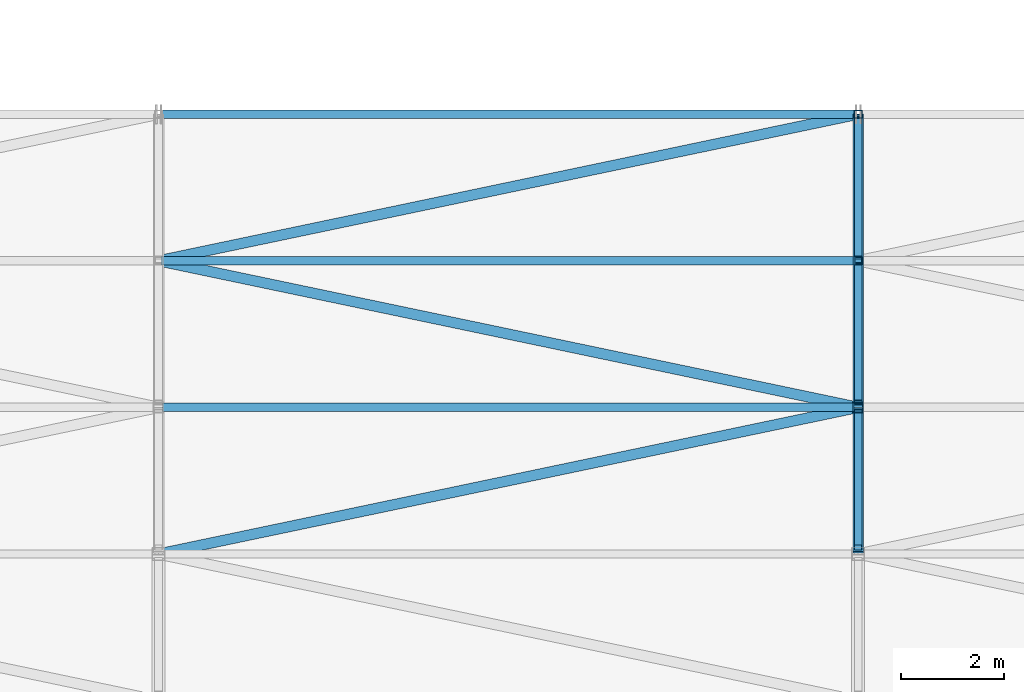
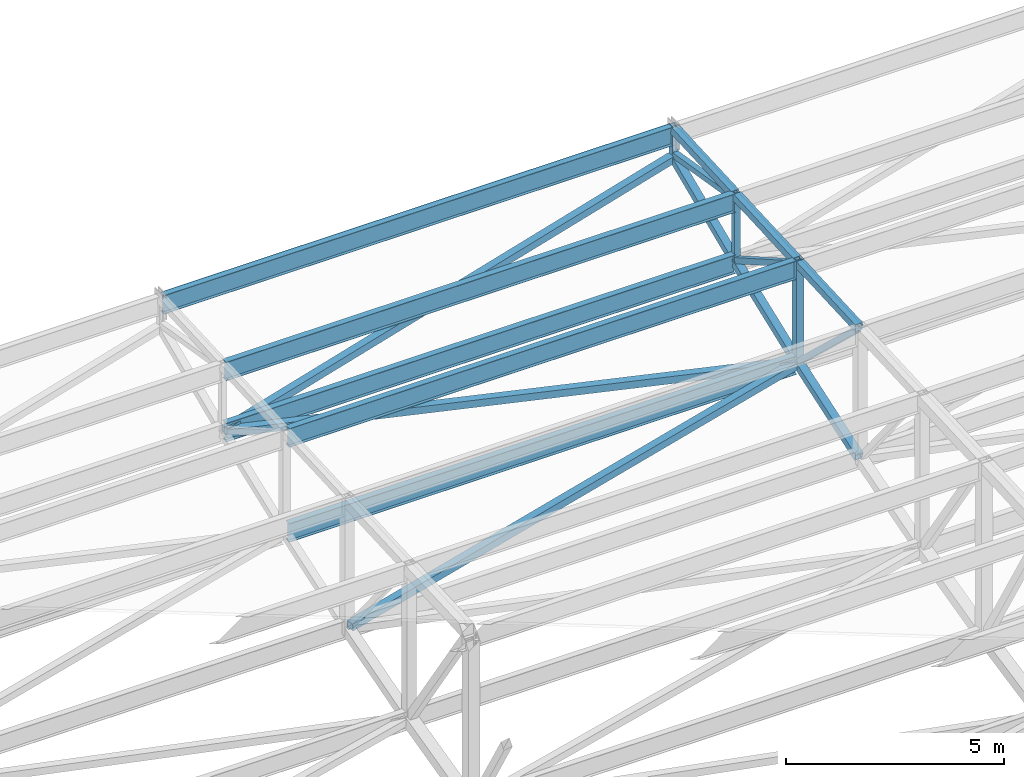
# One storey, part 28 of 278: 11 members, 9 beams.
"""IFC4 building model written with IfcOpenShell, lengths in metres."""

import ifcopenshell
import ifcopenshell.guid

model = None  # the IFC model being written
_history = None  # IfcOwnerHistory: only IFC2X3 demands one
_inside = {}  # id of a spatial element -> (the spatial element, [elements in it])
_under = {}  # id of a project, library or spatial element -> (it, [spatial elements below it])
_declared = {}  # id of a project -> (the project, [libraries it declares])
_typed = {}  # id of a type object -> (the type object, [elements of that type])
_made_of = {}  # id of a material, layer set ... -> (it, [elements and type objects made of it])


def new_model(schema):
    """Start an empty IFC model of exactly this schema.

    Asked for "IFC4X3", IfcOpenShell would pick the latest addendum, in which some entities
    have other attributes; the version numbers below select the first issue.
    IFC2X3 requires an IfcOwnerHistory on every rooted entity: one is made here for all.
    """
    global model, _history
    if schema == "IFC4X3":
        model = ifcopenshell.file(schema_version=(4, 3, 0, 0))
    else:
        model = ifcopenshell.file(schema=schema)
    _inside.clear()
    _under.clear()
    _declared.clear()
    _typed.clear()
    _made_of.clear()
    _history = None
    if model.schema == "IFC2X3":
        org = make("IfcOrganization", Name="unknown")
        user = make(
            "IfcPersonAndOrganization",
            ThePerson=make("IfcPerson", FamilyName="unknown"),
            TheOrganization=org,
        )
        app = make(
            "IfcApplication",
            ApplicationDeveloper=org,
            Version="unknown",
            ApplicationFullName="unknown",
            ApplicationIdentifier="unknown",
        )
        _history = make(
            "IfcOwnerHistory",
            OwningUser=user,
            OwningApplication=app,
            ChangeAction="ADDED",
            CreationDate=0,
        )
    return model


def make(cls, **values):
    """One entity of the class cls with the attributes given. An attribute that is None is left unset."""
    return model.create_entity(
        cls, **{name: value for name, value in values.items() if value is not None}
    )


def rooted(cls, **values):
    """An entity with a GlobalId (a new one), such as an element, a storey or a relation."""
    return make(cls, GlobalId=ifcopenshell.guid.new(), OwnerHistory=_history, **values)


def si_unit(unit_type, name, prefix=None):
    """IfcSIUnit, for example si_unit("LENGTHUNIT", "METRE", prefix="MILLI")."""
    return make("IfcSIUnit", UnitType=unit_type, Prefix=prefix, Name=name)


def assignment(units):
    """IfcUnitAssignment: the units of a project."""
    return None if units is None else make("IfcUnitAssignment", Units=units)


def point(xyz):
    """IfcCartesianPoint."""
    return None if xyz is None else make("IfcCartesianPoint", Coordinates=xyz)


def direction(xyz):
    """IfcDirection."""
    return None if xyz is None else make("IfcDirection", DirectionRatios=xyz)


def frame(location, z_axis=None, x_axis=None):
    """IfcAxis2Placement3D, a coordinate frame: its origin and axes. An axis left out is left unset."""
    return make(
        "IfcAxis2Placement3D",
        Location=point(location),
        Axis=direction(z_axis),
        RefDirection=direction(x_axis),
    )


def frame_2d(location, x_axis=None):
    """IfcAxis2Placement2D, a coordinate frame in the plane: its origin and x axis."""
    return make(
        "IfcAxis2Placement2D", Location=point(location), RefDirection=direction(x_axis)
    )


def origin():
    """The frame at (0, 0, 0) with its axes left unset."""
    return frame((0.0, 0.0, 0.0))


def origin_2d():
    """The frame at (0, 0) in the plane with its x axis left unset."""
    return frame_2d((0.0, 0.0))


def place(relative_to, where):
    """IfcLocalPlacement: puts the frame where relative to a parent placement (None: the world)."""
    return make(
        "IfcLocalPlacement", PlacementRelTo=relative_to, RelativePlacement=where
    )


def context(
    kind, dimensions, precision=None, world=None, true_north=None, identifier=None
):
    """IfcGeometricRepresentationContext, for example the 3D "Model" context."""
    return make(
        "IfcGeometricRepresentationContext",
        ContextIdentifier=identifier,
        ContextType=kind,
        CoordinateSpaceDimension=dimensions,
        Precision=precision,
        WorldCoordinateSystem=world,
        TrueNorth=true_north,
    )


def subcontext(parent, identifier, kind, view, scale=None):
    """IfcGeometricRepresentationSubContext, for example "Body" below "Model"."""
    return make(
        "IfcGeometricRepresentationSubContext",
        ContextIdentifier=identifier,
        ContextType=kind,
        ParentContext=parent,
        TargetScale=scale,
        TargetView=view,
    )


def project(units=None, contexts=None):
    """IfcProject with its units and contexts."""
    return rooted(
        "IfcProject",
        Name="project",
        RepresentationContexts=contexts,
        UnitsInContext=assignment(units),
    )


def spatial(cls, under=None, at=None, **own):
    """A site, building, storey or space (cls), placed at a placement, below another one or the project."""
    s = rooted(cls, ObjectPlacement=at, **own)
    if under is not None:
        _under.setdefault(under.id(), (under, []))[1].append(s)
    return s


def profile(cls, at=None, kind="AREA", **sizes):
    """A parametric profile (cls). Its sizes go by their IFC names, for example OverallWidth=200.0."""
    return make(cls, ProfileType=kind, Position=at, **sizes)


def hollow_rectangle(**sizes):
    """IfcRectangleHollowProfileDef."""
    return profile("IfcRectangleHollowProfileDef", **sizes)


def i_section(**sizes):
    """IfcIShapeProfileDef."""
    return profile("IfcIShapeProfileDef", **sizes)


def extrude(swept, where, along, depth):
    """IfcExtrudedAreaSolid: the profile swept, set in the frame where, extruded along a direction by depth."""
    return make(
        "IfcExtrudedAreaSolid",
        SweptArea=swept,
        Position=where,
        ExtrudedDirection=direction(along),
        Depth=depth,
    )


def shape(context_of_items, identifier, shape_type, items):
    """IfcShapeRepresentation: the items that make up one representation, for example the "Body"."""
    return make(
        "IfcShapeRepresentation",
        ContextOfItems=context_of_items,
        RepresentationIdentifier=identifier,
        RepresentationType=shape_type,
        Items=items,
    )


def material(Name=None, Category=None):
    """IfcMaterial."""
    return make("IfcMaterial", Name=Name, Category=Category)


def material_profile(
    of_material, cross_section, Name=None, Category=None, Priority=None
):
    """IfcMaterialProfile: a cross section and its material."""
    return make(
        "IfcMaterialProfile",
        Name=Name,
        Material=of_material,
        Profile=cross_section,
        Priority=Priority,
        Category=Category,
    )


def profile_set(profiles, Name=None, composite=None):
    """IfcMaterialProfileSet."""
    return make(
        "IfcMaterialProfileSet",
        Name=Name,
        MaterialProfiles=profiles,
        CompositeProfile=composite,
    )


def made_of(thing, what):
    """Note that an element or type object is made of a material, layer set ...; save() writes the relation."""
    if what is not None:
        _made_of.setdefault(what.id(), (what, []))[1].append(thing)
    return thing


def type_object(cls, material=None, **own):
    """A type object (cls), such as IfcWallType, which elements share."""
    return made_of(rooted(cls, **own), material)


def element(
    cls,
    number,
    at=None,
    inside=None,
    cuts=None,
    type_object=None,
    material=None,
    context=None,
    identifier="Body",
    shape_type=None,
    held_by="IfcProductDefinitionShape",
    body=None,
    shapes=None,
    **own,
):
    """One element of the class cls, such as IfcWall. Its Tag is "e" and its number.

    at: its placement. inside: the storey or other place that contains it. cuts: it is an
    opening in that element (IfcRelVoidsElement). A single representation is given by context,
    identifier, shape_type and body (its items); several are given by shapes. held_by: the class
    of the entity that holds the representations. save() writes the other relations.
    """
    e = rooted(cls, Tag="e%d" % number, ObjectPlacement=at, **own)
    if body is not None:
        shapes = [shape(context, identifier, shape_type, body)]
    if shapes is not None:
        e.Representation = make(held_by, Representations=shapes)
    if inside is not None:
        _inside.setdefault(inside.id(), (inside, []))[1].append(e)
    if cuts is not None:
        rooted(
            "IfcRelVoidsElement", RelatingBuildingElement=cuts, RelatedOpeningElement=e
        )
    if type_object is not None:
        _typed.setdefault(type_object.id(), (type_object, []))[1].append(e)
    return made_of(e, material)


def aggregate(whole, parts):
    """IfcRelAggregates: a whole, such as a stair, and the parts it consists of."""
    return rooted("IfcRelAggregates", RelatingObject=whole, RelatedObjects=parts)


def save(model, path):
    """Write the relations noted so far, then the file.

    IfcRelAggregates (storeys below a building ...), IfcRelContainedInSpatialStructure (elements
    in a storey), IfcRelDefinesByType, IfcRelAssociatesMaterial and IfcRelDeclares: one each for
    every whole, place, type object, material and project.
    """
    for whole, parts in _under.values():
        aggregate(whole, parts)
    for where, things in _inside.values():
        rooted(
            "IfcRelContainedInSpatialStructure",
            RelatedElements=things,
            RelatingStructure=where,
        )
    for kind, things in _typed.values():
        rooted("IfcRelDefinesByType", RelatedObjects=things, RelatingType=kind)
    for what, things in _made_of.values():
        rooted("IfcRelAssociatesMaterial", RelatedObjects=things, RelatingMaterial=what)
    for by, libraries in _declared.values():
        rooted("IfcRelDeclares", RelatingContext=by, RelatedDefinitions=libraries)
    model.write(path)


model = new_model("IFC4")

# Units and contexts
model_context = context("Model", 3, precision=1e-05, world=origin(), true_north=direction((0.0, 1.0)))
body_context = subcontext(model_context, "Body", "Model", "MODEL_VIEW")
ifc_project = project(units=[si_unit("LENGTHUNIT", "METRE"), si_unit("AREAUNIT", "SQUARE_METRE"), si_unit("VOLUMEUNIT", "CUBIC_METRE"), si_unit("PLANEANGLEUNIT", "RADIAN"), si_unit("MASSUNIT", "GRAM", prefix="KILO")], contexts=[model_context])

# Site, building, storey
site_placement = place(None, origin())
site = spatial("IfcSite", under=ifc_project, at=site_placement, CompositionType="ELEMENT")
building_placement = place(site_placement, origin())
building = spatial("IfcBuilding", under=site, at=building_placement, Name="Ogive Plaza Stadium", CompositionType="ELEMENT")
storey_placement = place(building_placement, frame((0.0, 0.0, 29.0)))
storey = spatial("IfcBuildingStorey", under=building, at=storey_placement, Name="Roof", CompositionType="ELEMENT", Elevation=29.0)

# Members
ifc_material_1 = material(Name="Steel ASTM A500 Grade C", Category="steel")
ifc_material_profile_1 = material_profile(ifc_material_1, hollow_rectangle(XDim=0.203125, YDim=0.203125, WallThickness=0.0087890625, at=origin_2d()), Name="HSS8X8X3/8")
ifc_profile_set_1 = profile_set([ifc_material_profile_1], Name="Steel ASTM A500 Grade C")
member_type_1 = type_object("IfcMemberType", Name="Roof plan brace HSS8X8X3/8", PredefinedType="BRACE", material=ifc_profile_set_1)
member_1_placement = place(storey_placement, frame((20.332275390625, -64.01416015625, 6.5205078125), z_axis=(-0.974983402681, -0.204327358854, -0.087508256301), x_axis=(0.205114219191, -0.978738043138, 0.0)))
element("IfcMember", 1, at=member_1_placement, inside=storey, type_object=member_type_1, Name="ROOF BRACE B13 1", PredefinedType="BRACE", context=body_context, shape_type="SweptSolid", body=[
    extrude(hollow_rectangle(XDim=0.203125, YDim=0.203125, WallThickness=0.0087890625, at=origin_2d()), origin(), (0.0, 0.0, 1.0), 13.81005859375),
])
member_2_placement = place(storey_placement, frame((6.86767578125, -66.8642578125, 5.30029296875), z_axis=(0.975733868402, -0.204463279961, -0.078346571082), x_axis=(0.205093700418, 0.978742343035, 0.0)))
element("IfcMember", 2, at=member_2_placement, inside=storey, type_object=member_type_1, Name="ROOF BRACE B13 2", PredefinedType="BRACE", context=body_context, shape_type="SweptSolid", body=[
    extrude(hollow_rectangle(XDim=0.203125, YDim=0.203125, WallThickness=0.0087890625, at=origin_2d()), origin(), (0.0, 0.0, 1.0), 13.7734375),
])
member_3_placement = place(storey_placement, frame((20.306884765625, -69.719482421875, 4.207275390625), z_axis=(-0.976515317582, -0.204641125651, -0.067378366106), x_axis=(0.205107232709, -0.97873950727, 0.0)))
element("IfcMember", 3, at=member_3_placement, inside=storey, type_object=member_type_1, Name="ROOF BRACE B13 3", PredefinedType="BRACE", context=body_context, shape_type="SweptSolid", body=[
    extrude(hollow_rectangle(XDim=0.203125, YDim=0.203125, WallThickness=0.0087890625, at=origin_2d()), origin(), (0.0, 0.0, 1.0), 13.736328125),
])
ifc_material_2 = material(Name="Steel ASTM A992 Grade 50", Category="steel")
ifc_material_profile_2 = material_profile(ifc_material_2, i_section(OverallWidth=0.1650390625, OverallDepth=0.524658203125, WebThickness=0.0087890625, FlangeThickness=0.011474609375, at=origin_2d()), Name="W21X44")
ifc_profile_set_2 = profile_set([ifc_material_profile_2], Name="Steel ASTM A992 Grade 50")
member_type_2 = type_object("IfcMemberType", Name="Roof plan strut W21X44", PredefinedType="STRUT", material=ifc_profile_set_2)
member_4_placement = place(storey_placement, frame((20.353759765625, -66.85009765625, 5.305908203125), z_axis=(-1.0, 0.0, 0.0), x_axis=(0.0, -1.0, 0.0)))
element("IfcMember", 4, at=member_4_placement, inside=storey, type_object=member_type_2, Name="ROOF STRUT B13 1", PredefinedType="STRUT", context=body_context, shape_type="SweptSolid", body=[
    extrude(i_section(OverallWidth=0.1650390625, OverallDepth=0.524658203125, WebThickness=0.0087890625, FlangeThickness=0.011474609375, at=origin_2d()), origin(), (0.0, 0.0, 1.0), 13.507568359375),
])
member_5_placement = place(storey_placement, frame((20.328369140625, -69.699951171875, 4.213623046875), z_axis=(-1.0, 0.0, 0.0), x_axis=(0.0, -1.0, 0.0)))
element("IfcMember", 5, at=member_5_placement, inside=storey, type_object=member_type_2, Name="ROOF STRUT B13 2", PredefinedType="STRUT", context=body_context, shape_type="SweptSolid", body=[
    extrude(i_section(OverallWidth=0.1650390625, OverallDepth=0.524658203125, WebThickness=0.0087890625, FlangeThickness=0.011474609375, at=origin_2d()), origin(), (0.0, 0.0, 1.0), 13.456787109375),
])
ifc_material_3 = material(Name="Steel ASTM A992 Grade 50", Category="steel")
ifc_material_profile_3 = material_profile(ifc_material_3, i_section(OverallWidth=0.1650390625, OverallDepth=0.524658203125, WebThickness=0.0087890625, FlangeThickness=0.011474609375, at=origin_2d()), Name="W21X44")
ifc_profile_set_3 = profile_set([ifc_material_profile_3], Name="Steel ASTM A992 Grade 50")
member_type_3 = type_object("IfcMemberType", Name="Roof purlin W21X44", PredefinedType="PURLIN", material=ifc_profile_set_3)
member_6_placement = place(storey_placement, frame((20.353759765625, -66.85009765625, 7.02001953125), z_axis=(-1.0, 0.0, 0.0), x_axis=(0.0, -1.0, 0.0)))
element("IfcMember", 6, at=member_6_placement, inside=storey, type_object=member_type_3, Name="ROOF PURLIN B13 1", PredefinedType="PURLIN", context=body_context, shape_type="SweptSolid", body=[
    extrude(i_section(OverallWidth=0.1650390625, OverallDepth=0.524658203125, WebThickness=0.0087890625, FlangeThickness=0.011474609375, at=origin_2d()), origin(), (0.0, 0.0, 1.0), 13.507568359375),
])
member_7_placement = place(storey_placement, frame((20.328369140625, -69.699951171875, 6.877685546875), z_axis=(-1.0, 0.0, 0.0), x_axis=(0.0, -1.0, 0.0)))
element("IfcMember", 7, at=member_7_placement, inside=storey, type_object=member_type_3, Name="ROOF PURLIN B13 2", PredefinedType="PURLIN", context=body_context, shape_type="SweptSolid", body=[
    extrude(i_section(OverallWidth=0.1650390625, OverallDepth=0.524658203125, WebThickness=0.0087890625, FlangeThickness=0.011474609375, at=origin_2d()), origin(), (0.0, 0.0, 1.0), 13.456787109375),
])
ifc_material_4 = material(Name="Steel ASTM A992 Grade 50", Category="steel")
ifc_material_profile_4 = material_profile(ifc_material_4, i_section(OverallWidth=0.1650390625, OverallDepth=0.524658203125, WebThickness=0.0087890625, FlangeThickness=0.011474609375, at=origin_2d()), Name="W21X44")
ifc_profile_set_4 = profile_set([ifc_material_profile_4], Name="Steel ASTM A992 Grade 50")
member_type_4 = type_object("IfcMemberType", Name="Roof tip ring beam W21X44", PredefinedType="MEMBER", material=ifc_profile_set_4)
member_8_placement = place(storey_placement, frame((20.353759765625, -64.0, 7.16259765625), z_axis=(-1.0, 0.0, 0.0), x_axis=(0.0, -1.0, 0.0)))
element("IfcMember", 8, at=member_8_placement, inside=storey, type_object=member_type_4, Name="RING BEAM B13", PredefinedType="MEMBER", context=body_context, shape_type="SweptSolid", body=[
    extrude(i_section(OverallWidth=0.1650390625, OverallDepth=0.524658203125, WebThickness=0.0087890625, FlangeThickness=0.011474609375, at=origin_2d()), origin(), (0.0, 0.0, 1.0), 13.507568359375),
])

# Beams
ifc_material_5 = material(Name="Steel ASTM A500 Grade C", Category="steel")
ifc_material_profile_5 = material_profile(ifc_material_5, hollow_rectangle(XDim=0.203125, YDim=0.203125, WallThickness=0.01171875, at=origin_2d()), Name="HSS8X8X1/2")
ifc_profile_set_5 = profile_set([ifc_material_profile_5], Name="Steel ASTM A500 Grade C")
beam_type_1 = type_object("IfcBeamType", Name="Roof truss bottom chord HSS8X8X1/2", PredefinedType="BEAM", material=ifc_profile_set_5)
beam_1_placement = place(storey_placement, frame((20.39990234375, -64.0400390625, 6.518310546875), z_axis=(0.0, -0.919215459426, -0.393754922702), x_axis=(1.0, 0.0, 0.0)))
element("IfcBeam", 9, at=beam_1_placement, inside=storey, type_object=beam_type_1, Name="ROOF TRUSS T13 BOTTOM CHORD 1", PredefinedType="BEAM", context=body_context, shape_type="SweptSolid", body=[
    extrude(hollow_rectangle(XDim=0.203125, YDim=0.203125, WallThickness=0.01171875, at=origin_2d()), origin(), (0.0, 0.0, 1.0), 3.04736328125),
])
beam_2_placement = place(storey_placement, frame((20.39990234375, -66.886474609375, 5.299072265625), z_axis=(0.0, -0.933780874892, -0.357845326484), x_axis=(1.0, 0.0, 0.0)))
element("IfcBeam", 10, at=beam_2_placement, inside=storey, type_object=beam_type_1, Name="ROOF TRUSS T13 BOTTOM CHORD 2", PredefinedType="BEAM", context=body_context, shape_type="SweptSolid", body=[
    extrude(hollow_rectangle(XDim=0.203125, YDim=0.203125, WallThickness=0.01171875, at=origin_2d()), origin(), (0.0, 0.0, 1.0), 2.97314453125),
])
beam_3_placement = place(storey_placement, frame((20.39990234375, -69.74072265625, 4.20556640625), z_axis=(0.0, -0.947299736415, -0.320348574817), x_axis=(1.0, 0.0, 0.0)))
element("IfcBeam", 11, at=beam_3_placement, inside=storey, type_object=beam_type_1, Name="ROOF TRUSS T13 BOTTOM CHORD 3", PredefinedType="BEAM", context=body_context, shape_type="SweptSolid", body=[
    extrude(hollow_rectangle(XDim=0.203125, YDim=0.203125, WallThickness=0.01171875, at=origin_2d()), origin(), (0.0, 0.0, 1.0), 2.912841796875),
])

# Members
ifc_material_6 = material(Name="Steel ASTM A500 Grade C", Category="steel")
ifc_material_profile_6 = material_profile(ifc_material_6, hollow_rectangle(XDim=0.15234375, YDim=0.15234375, WallThickness=0.005859375, at=origin_2d()), Name="HSS6X6X1/4")
ifc_profile_set_6 = profile_set([ifc_material_profile_6], Name="Steel ASTM A500 Grade C")
member_type_5 = type_object("IfcMemberType", Name="Roof truss diagonal HSS6X6X1/4", PredefinedType="BRACE", material=ifc_profile_set_6)
member_9_placement = place(storey_placement, frame((20.39990234375, -64.076171875, 6.628173828125), z_axis=(0.0, -0.986299671123, 0.164963507307), x_axis=(1.0, 0.0, 0.0)))
element("IfcMember", 12, at=member_9_placement, inside=storey, type_object=member_type_5, Name="ROOF TRUSS T13 DIAGONAL 1", PredefinedType="BRACE", context=body_context, shape_type="SweptSolid", body=[
    extrude(hollow_rectangle(XDim=0.15234375, YDim=0.15234375, WallThickness=0.005859375, at=origin_2d()), origin(), (0.0, 0.0, 1.0), 2.73486328125),
])
member_10_placement = place(storey_placement, frame((20.39990234375, -66.92626953125, 5.407470703125), z_axis=(0.0, -0.8679111184, 0.496719529069), x_axis=(1.0, 0.0, 0.0)))
element("IfcMember", 13, at=member_10_placement, inside=storey, type_object=member_type_5, Name="ROOF TRUSS T13 DIAGONAL 2", PredefinedType="BRACE", context=body_context, shape_type="SweptSolid", body=[
    extrude(hollow_rectangle(XDim=0.15234375, YDim=0.15234375, WallThickness=0.005859375, at=origin_2d()), origin(), (0.0, 0.0, 1.0), 3.078857421875),
])
ifc_material_7 = material(Name="Steel ASTM A500 Grade C", Category="steel")
ifc_material_profile_7 = material_profile(ifc_material_7, hollow_rectangle(XDim=0.15234375, YDim=0.15234375, WallThickness=0.0087890625, at=origin_2d()), Name="HSS6X6X3/8")
ifc_profile_set_7 = profile_set([ifc_material_profile_7], Name="Steel ASTM A500 Grade C")
member_type_6 = type_object("IfcMemberType", Name="Roof truss diagonal HSS6X6X3/8", PredefinedType="BRACE", material=ifc_profile_set_7)
member_11_placement = place(storey_placement, frame((20.39990234375, -69.801513671875, 4.315185546875), z_axis=(0.0, -0.726588919749, 0.687072442832), x_axis=(1.0, 0.0, 0.0)))
element("IfcMember", 14, at=member_11_placement, inside=storey, type_object=member_type_6, Name="ROOF TRUSS T13 DIAGONAL 3", PredefinedType="BRACE", context=body_context, shape_type="SweptSolid", body=[
    extrude(hollow_rectangle(XDim=0.15234375, YDim=0.15234375, WallThickness=0.0087890625, at=origin_2d()), origin(), (0.0, 0.0, 1.0), 3.608154296875),
])

# Beams
ifc_material_8 = material(Name="Steel ASTM A500 Grade C", Category="steel")
ifc_material_profile_8 = material_profile(ifc_material_8, hollow_rectangle(XDim=0.15234375, YDim=0.15234375, WallThickness=0.0087890625, at=origin_2d()), Name="HSS6X6X3/8")
ifc_profile_set_8 = profile_set([ifc_material_profile_8], Name="Steel ASTM A500 Grade C")
beam_type_2 = type_object("IfcBeamType", Name="Roof truss post HSS6X6X3/8", PredefinedType="BEAM", material=ifc_profile_set_8)
beam_4_placement = place(storey_placement, frame((20.39990234375, -64.0, 6.425048828125), z_axis=(0.0, 0.0, 1.0), x_axis=(1.0, 0.0, 0.0)))
element("IfcBeam", 15, at=beam_4_placement, inside=storey, type_object=beam_type_2, Name="ROOF TRUSS T13 POST 1", PredefinedType="BEAM", context=body_context, shape_type="SweptSolid", body=[
    extrude(hollow_rectangle(XDim=0.15234375, YDim=0.15234375, WallThickness=0.0087890625, at=origin_2d()), origin(), (0.0, 0.0, 1.0), 1.0),
])
beam_5_placement = place(storey_placement, frame((20.39990234375, -66.85009765625, 5.204345703125), z_axis=(0.0, 0.0, 1.0), x_axis=(1.0, 0.0, 0.0)))
element("IfcBeam", 16, at=beam_5_placement, inside=storey, type_object=beam_type_2, Name="ROOF TRUSS T13 POST 2", PredefinedType="BEAM", context=body_context, shape_type="SweptSolid", body=[
    extrude(hollow_rectangle(XDim=0.15234375, YDim=0.15234375, WallThickness=0.0087890625, at=origin_2d()), origin(), (0.0, 0.0, 1.0), 2.078125),
])
ifc_material_9 = material(Name="Steel ASTM A500 Grade C", Category="steel")
ifc_material_profile_9 = material_profile(ifc_material_9, hollow_rectangle(XDim=0.203125, YDim=0.203125, WallThickness=0.0087890625, at=origin_2d()), Name="HSS8X8X3/8")
ifc_profile_set_9 = profile_set([ifc_material_profile_9], Name="Steel ASTM A500 Grade C")
beam_type_3 = type_object("IfcBeamType", Name="Roof truss post HSS8X8X3/8", PredefinedType="BEAM", material=ifc_profile_set_9)
beam_6_placement = place(storey_placement, frame((20.39990234375, -69.699951171875, 4.112060546875), z_axis=(0.0, 0.0, 1.0), x_axis=(1.0, 0.0, 0.0)))
element("IfcBeam", 17, at=beam_6_placement, inside=storey, type_object=beam_type_3, Name="ROOF TRUSS T13 POST 3", PredefinedType="BEAM", context=body_context, shape_type="SweptSolid", body=[
    extrude(hollow_rectangle(XDim=0.203125, YDim=0.203125, WallThickness=0.0087890625, at=origin_2d()), origin(), (0.0, 0.0, 1.0), 3.02783203125),
])
ifc_material_10 = material(Name="Steel ASTM A500 Grade C", Category="steel")
ifc_material_profile_10 = material_profile(ifc_material_10, hollow_rectangle(XDim=0.203125, YDim=0.203125, WallThickness=0.0087890625, at=origin_2d()), Name="HSS8X8X3/8")
ifc_profile_set_10 = profile_set([ifc_material_profile_10], Name="Steel ASTM A500 Grade C")
beam_type_4 = type_object("IfcBeamType", Name="Roof truss top chord HSS8X8X3/8", PredefinedType="BEAM", material=ifc_profile_set_10)
beam_7_placement = place(storey_placement, frame((20.39990234375, -64.041259765625, 7.3212890625), z_axis=(0.0, -0.998751459876, -0.049955193873), x_axis=(1.0, 0.0, 0.0)))
element("IfcBeam", 18, at=beam_7_placement, inside=storey, type_object=beam_type_4, Name="ROOF TRUSS T13 TOP CHORD 1", PredefinedType="BEAM", context=body_context, shape_type="SweptSolid", body=[
    extrude(hollow_rectangle(XDim=0.203125, YDim=0.203125, WallThickness=0.0087890625, at=origin_2d()), origin(), (0.0, 0.0, 1.0), 2.77099609375),
])
beam_8_placement = place(storey_placement, frame((20.39990234375, -66.89111328125, 7.1787109375), z_axis=(0.0, -0.998752338878, -0.049937616944), x_axis=(1.0, 0.0, 0.0)))
element("IfcBeam", 19, at=beam_8_placement, inside=storey, type_object=beam_type_4, Name="ROOF TRUSS T13 TOP CHORD 2", PredefinedType="BEAM", context=body_context, shape_type="SweptSolid", body=[
    extrude(hollow_rectangle(XDim=0.203125, YDim=0.203125, WallThickness=0.0087890625, at=origin_2d()), origin(), (0.0, 0.0, 1.0), 2.76220703125),
])
beam_9_placement = place(storey_placement, frame((20.39990234375, -69.75, 7.035888671875), z_axis=(0.0, -0.998748798523, -0.05000837379), x_axis=(1.0, 0.0, 0.0)))
element("IfcBeam", 20, at=beam_9_placement, inside=storey, type_object=beam_type_4, Name="ROOF TRUSS T13 TOP CHORD 3", PredefinedType="BEAM", context=body_context, shape_type="SweptSolid", body=[
    extrude(hollow_rectangle(XDim=0.203125, YDim=0.203125, WallThickness=0.0087890625, at=origin_2d()), origin(), (0.0, 0.0, 1.0), 2.75341796875),
])

save(model, "model.ifc")
